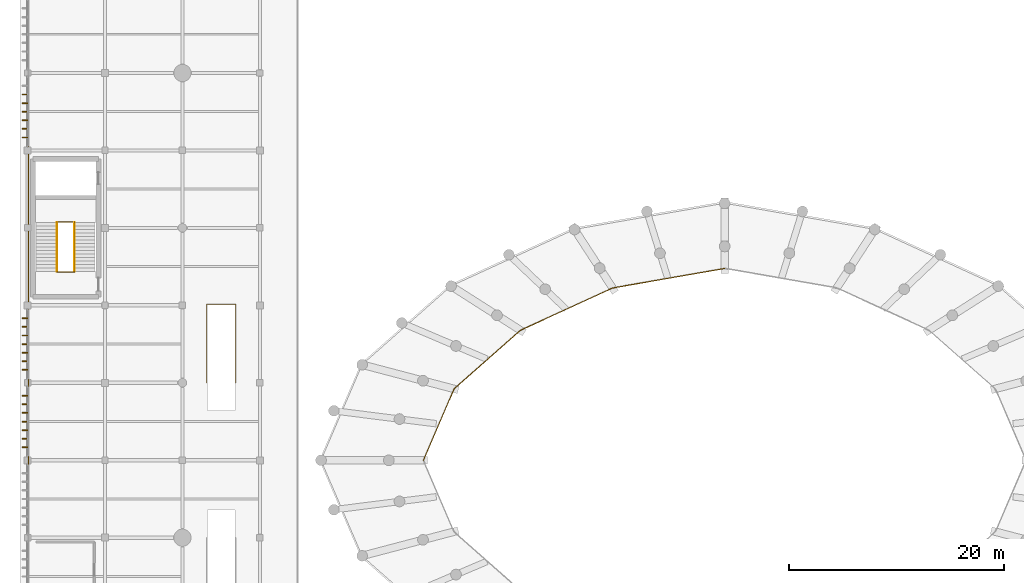
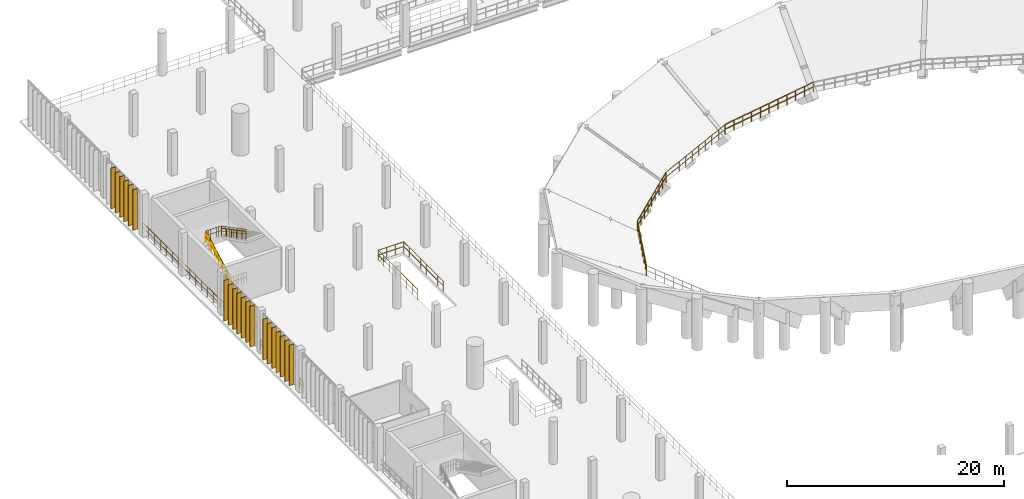
# One storey, part 98 of 105: 20 coverings, 14 railings.
"""IFC4 building model written with IfcOpenShell, lengths in metres."""

from ifc_helpers import new_model, si_unit, direction, frame, origin, origin_2d, place, context, subcontext, project, spatial, rectangle, circle, extrude, material, layer, layer_set, type_object, element, save


model = new_model("IFC4")

# Units and contexts
model_context = context("Model", 3, precision=1e-05, world=origin(), true_north=direction((0.0, 1.0)))
body_context = subcontext(model_context, "Body", "Model", "MODEL_VIEW")
ifc_project = project(units=[si_unit("LENGTHUNIT", "METRE"), si_unit("AREAUNIT", "SQUARE_METRE"), si_unit("VOLUMEUNIT", "CUBIC_METRE"), si_unit("PLANEANGLEUNIT", "RADIAN"), si_unit("MASSUNIT", "GRAM", prefix="KILO")], contexts=[model_context])

# Site, building, storey
site_placement = place(None, origin())
site = spatial("IfcSite", under=ifc_project, at=site_placement, CompositionType="ELEMENT")
building_placement = place(site_placement, origin())
building = spatial("IfcBuilding", under=site, at=building_placement, Name="Qandorah Velis Arena", CompositionType="ELEMENT")
storey_placement = place(building_placement, frame((0.0, 0.0, 13.800048828125)))
storey = spatial("IfcBuildingStorey", under=building, at=storey_placement, Name="L03", CompositionType="ELEMENT", Elevation=13.800048828125)

# Coverings
ifc_material_1 = material(Name="Champagne-bronze anodized aluminium 6063-T6", Category="aluminium")
ifc_layer = layer(ifc_material_1, 0.0849609375)
ifc_layer_set = layer_set([ifc_layer], Name="Champagne-bronze anodized aluminium 6063-T6")
covering_type = type_object("IfcCoveringType", Name="ARC-COV-FIN520", PredefinedType="CLADDING", material=ifc_layer_set)
for number, where, z_axis, x_axis, name in (
    (1, (-0.251953125, 66.0, -0.01025390625), (0.0, 0.0, 1.0), (1.0, 0.0, 0.0), "Vertical champagne-bronze solar fin blade WNG-W-L03-09-001"),
    (2, (-0.251953125, 66.800048828125, -0.01025390625), (0.0, 0.0, 1.0), (1.0, 0.0, 0.0), "Vertical champagne-bronze solar fin blade WNG-W-L03-09-002"),
    (3, (-0.251953125, 67.60009765625, -0.01025390625), (0.0, 0.0, 1.0), (1.0, 0.0, 0.0), "Vertical champagne-bronze solar fin blade WNG-W-L03-09-003"),
    (4, (-0.251953125, 68.39990234375, -0.01025390625), (0.0, 0.0, 1.0), (1.0, 0.0, 0.0), "Vertical champagne-bronze solar fin blade WNG-W-L03-09-004"),
    (5, (-0.251953125, 69.199951171875, -0.01025390625), (0.0, 0.0, 1.0), (1.0, 0.0, 0.0), "Vertical champagne-bronze solar fin blade WNG-W-L03-09-005"),
    (6, (-0.251953125, 70.0, -0.01025390625), (0.0, 0.0, 1.0), (1.0, 0.0, 0.0), "Vertical champagne-bronze solar fin blade WNG-W-L03-09-006"),
    (7, (-0.251953125, 70.800048828125, -0.01025390625), (0.0, 0.0, 1.0), (1.0, 0.0, 0.0), "Vertical champagne-bronze solar fin blade WNG-W-L03-09-007"),
    (8, (-0.251953125, 73.199951171875, -0.01025390625), (0.0, 0.0, 1.0), (1.0, 0.0, 0.0), "Vertical champagne-bronze solar fin blade WNG-W-L03-10-001"),
    (9, (-0.251953125, 74.0, -0.01025390625), (0.0, 0.0, 1.0), (1.0, 0.0, 0.0), "Vertical champagne-bronze solar fin blade WNG-W-L03-10-002"),
    (10, (-0.251953125, 74.800048828125, -0.01025390625), (0.0, 0.0, 1.0), (1.0, 0.0, 0.0), "Vertical champagne-bronze solar fin blade WNG-W-L03-10-003"),
    (11, (-0.251953125, 75.60009765625, -0.01025390625), (0.0, 0.0, 1.0), (1.0, 0.0, 0.0), "Vertical champagne-bronze solar fin blade WNG-W-L03-10-004"),
    (12, (-0.251953125, 76.39990234375, -0.01025390625), (0.0, 0.0, 1.0), (1.0, 0.0, 0.0), "Vertical champagne-bronze solar fin blade WNG-W-L03-10-005"),
    (13, (-0.251953125, 77.199951171875, -0.01025390625), (0.0, 0.0, 1.0), (1.0, 0.0, 0.0), "Vertical champagne-bronze solar fin blade WNG-W-L03-10-006"),
    (14, (-0.251953125, 78.0, -0.01025390625), (0.0, 0.0, 1.0), (1.0, 0.0, 0.0), "Vertical champagne-bronze solar fin blade WNG-W-L03-10-007"),
    (15, (-0.251953125, 94.800048828125, -0.01025390625), (0.0, 0.0, 1.0), (1.0, 0.0, 0.0), "Vertical champagne-bronze solar fin blade WNG-W-L03-13-001"),
    (16, (-0.251953125, 95.60009765625, -0.01025390625), (0.0, 0.0, 1.0), (1.0, 0.0, 0.0), "Vertical champagne-bronze solar fin blade WNG-W-L03-13-002"),
    (17, (-0.251953125, 96.39990234375, -0.01025390625), (0.0, 0.0, 1.0), (1.0, 0.0, 0.0), "Vertical champagne-bronze solar fin blade WNG-W-L03-13-003"),
    (18, (-0.251953125, 97.199951171875, -0.01025390625), (0.0, 0.0, 1.0), (1.0, 0.0, 0.0), "Vertical champagne-bronze solar fin blade WNG-W-L03-13-004"),
    (19, (-0.251953125, 98.0, -0.01025390625), (0.0, 0.0, 1.0), (1.0, 0.0, 0.0), "Vertical champagne-bronze solar fin blade WNG-W-L03-13-005"),
    (20, (-0.251953125, 98.800048828125, -0.01025390625), (0.0, 0.0, 1.0), (1.0, 0.0, 0.0), "Vertical champagne-bronze solar fin blade WNG-W-L03-13-006"),
):
    element("IfcCovering", number, at=place(storey_placement, frame(where, z_axis=z_axis, x_axis=x_axis)), inside=storey, type_object=covering_type, Name=name, PredefinedType="CLADDING", context=body_context, shape_type="SweptSolid", body=[
        extrude(rectangle(XDim=0.52001953125, YDim=0.0849609375, at=origin_2d()), origin(), (0.0, 0.0, 1.0), 4.550048828125),
    ])

# Railings
ifc_material_2 = material(Name="Stainless steel 316", Category="steel")
railing_type_1 = type_object("IfcRailingType", Name="ARC-RL-GRD1150", PredefinedType="GUARDRAIL", material=ifc_material_2)
for number, where, name in (
    (21, (2.739990234375, 82.31005859375, 0.0), "Stair ST6 landing well-slot guardrail L03"),
    (22, (2.739990234375, 86.946044921875, 2.39990234375), "Stair ST6 well guardrail (L03)"),
):
    element("IfcRailing", number, at=place(storey_placement, frame(where)), inside=storey, type_object=railing_type_1, Name=name, PredefinedType="GUARDRAIL", context=body_context, shape_type="SweptSolid", body=[
        extrude(circle(Radius=0.02392578125, at=origin_2d()), frame((0.0, 0.0, 1.1259765625), z_axis=(1.0, 0.0, 0.0), x_axis=(0.0, 1.0, 0.0)), (0.0, 0.0, 1.0), 1.6201171875),
        extrude(circle(Radius=0.02392578125, at=origin_2d()), frame((0.0, 0.0, 0.597900390625), z_axis=(1.0, 0.0, 0.0), x_axis=(0.0, 1.0, 0.0)), (0.0, 0.0, 1.0), 1.6201171875),
        extrude(circle(Radius=0.02099609375, at=origin_2d()), origin(), (0.0, 0.0, 1.0), 1.101806640625),
        extrude(circle(Radius=0.02099609375, at=origin_2d()), frame((0.27001953125, 0.0, 0.0)), (0.0, 0.0, 1.0), 1.101806640625),
        extrude(circle(Radius=0.02099609375, at=origin_2d()), frame((0.5400390625, 0.0, 0.0)), (0.0, 0.0, 1.0), 1.101806640625),
        extrude(circle(Radius=0.02099609375, at=origin_2d()), frame((0.81005859375, 0.0, 0.0)), (0.0, 0.0, 1.0), 1.101806640625),
        extrude(circle(Radius=0.02099609375, at=origin_2d()), frame((1.080078125, 0.0, 0.0)), (0.0, 0.0, 1.0), 1.101806640625),
        extrude(circle(Radius=0.02099609375, at=origin_2d()), frame((1.35009765625, 0.0, 0.0)), (0.0, 0.0, 1.0), 1.101806640625),
        extrude(circle(Radius=0.02099609375, at=origin_2d()), frame((1.6201171875, 0.0, 0.0)), (0.0, 0.0, 1.0), 1.101806640625),
    ])
railing_1_placement = place(storey_placement, frame((2.72998046875, 82.35009765625, 0.0)))
element("IfcRailing", 23, at=railing_1_placement, inside=storey, type_object=railing_type_1, Name="Stair ST6 inner flight 1 guardrail (L03)", PredefinedType="GUARDRAIL", context=body_context, shape_type="SweptSolid", body=[
    extrude(circle(Radius=0.02392578125, at=origin_2d()), frame((0.0, 0.0, 1.1259765625), z_axis=(0.0, 0.883904770144, 0.467666929895), x_axis=(-1.0, 0.0, 0.0)), (0.0, 0.0, 1.0), 5.131591796875),
    extrude(circle(Radius=0.02392578125, at=origin_2d()), frame((0.0, 0.0, 0.597900390625), z_axis=(0.0, 0.883904770144, 0.467666929895), x_axis=(-1.0, 0.0, 0.0)), (0.0, 0.0, 1.0), 5.131591796875),
    extrude(circle(Radius=0.02099609375, at=origin_2d()), origin(), (0.0, 0.0, 1.0), 1.101806640625),
    extrude(circle(Radius=0.02099609375, at=origin_2d()), frame((0.0, 0.755859375, 0.39990234375)), (0.0, 0.0, 1.0), 1.101806640625),
    extrude(circle(Radius=0.02099609375, at=origin_2d()), frame((0.0, 1.511962890625, 0.800048828125)), (0.0, 0.0, 1.0), 1.101806640625),
    extrude(circle(Radius=0.02099609375, at=origin_2d()), frame((0.0, 2.26806640625, 1.199951171875)), (0.0, 0.0, 1.0), 1.101806640625),
    extrude(circle(Radius=0.02099609375, at=origin_2d()), frame((0.0, 3.02392578125, 1.599853515625)), (0.0, 0.0, 1.0), 1.101806640625),
    extrude(circle(Radius=0.02099609375, at=origin_2d()), frame((0.0, 3.77978515625, 2.0)), (0.0, 0.0, 1.0), 1.101806640625),
    extrude(circle(Radius=0.02099609375, at=origin_2d()), frame((0.0, 4.535888671875, 2.39990234375)), (0.0, 0.0, 1.0), 1.101806640625),
])
railing_2_placement = place(storey_placement, frame((4.3701171875, 86.885986328125, 2.39990234375)))
element("IfcRailing", 24, at=railing_2_placement, inside=storey, type_object=railing_type_1, Name="Stair ST6 inner flight 2 guardrail (L03)", PredefinedType="GUARDRAIL", context=body_context, shape_type="SweptSolid", body=[
    extrude(circle(Radius=0.02392578125, at=origin_2d()), frame((0.0, 0.0, 1.1259765625), z_axis=(0.0, -0.883885103381, 0.467704098786), x_axis=(1.0, 0.0, 0.0)), (0.0, 0.0, 1.0), 5.1318359375),
    extrude(circle(Radius=0.02392578125, at=origin_2d()), frame((0.0, 0.0, 0.597900390625), z_axis=(0.0, -0.883885103381, 0.467704098786), x_axis=(1.0, 0.0, 0.0)), (0.0, 0.0, 1.0), 5.1318359375),
    extrude(circle(Radius=0.02099609375, at=origin_2d()), origin(), (0.0, 0.0, 1.0), 1.101806640625),
    extrude(circle(Radius=0.02099609375, at=origin_2d()), frame((0.0, -0.755859375, 0.39990234375)), (0.0, 0.0, 1.0), 1.101806640625),
    extrude(circle(Radius=0.02099609375, at=origin_2d()), frame((0.0, -1.511962890625, 0.800048828125)), (0.0, 0.0, 1.0), 1.101806640625),
    extrude(circle(Radius=0.02099609375, at=origin_2d()), frame((0.0, -2.26806640625, 1.2001953125)), (0.0, 0.0, 1.0), 1.101806640625),
    extrude(circle(Radius=0.02099609375, at=origin_2d()), frame((0.0, -3.02392578125, 1.60009765625)), (0.0, 0.0, 1.0), 1.101806640625),
    extrude(circle(Radius=0.02099609375, at=origin_2d()), frame((0.0, -3.77978515625, 2.0)), (0.0, 0.0, 1.0), 1.101806640625),
    extrude(circle(Radius=0.02099609375, at=origin_2d()), frame((0.0, -4.535888671875, 2.400146484375)), (0.0, 0.0, 1.0), 1.101806640625),
])
railing_3_placement = place(storey_placement, frame((16.64990234375, 72.0, 0.0)))
element("IfcRailing", 25, at=railing_3_placement, inside=storey, type_object=railing_type_1, Name="Vomitory VS16 top well guardrail (L03)", PredefinedType="GUARDRAIL", context=body_context, shape_type="SweptSolid", body=[
    extrude(circle(Radius=0.02392578125, at=origin_2d()), frame((0.0, 0.0, 1.1259765625), z_axis=(0.0, 1.0, 0.0), x_axis=(-1.0, 0.0, 0.0)), (0.0, 0.0, 1.0), 7.300048828125),
    extrude(circle(Radius=0.02392578125, at=origin_2d()), frame((0.0, 0.0, 0.597900390625), z_axis=(0.0, 1.0, 0.0), x_axis=(-1.0, 0.0, 0.0)), (0.0, 0.0, 1.0), 7.300048828125),
    extrude(circle(Radius=0.02392578125, at=origin_2d()), frame((0.0, 7.300048828125, 1.1259765625), z_axis=(1.0, 0.0, 0.0), x_axis=(0.0, 1.0, 0.0)), (0.0, 0.0, 1.0), 2.7001953125),
    extrude(circle(Radius=0.02392578125, at=origin_2d()), frame((0.0, 7.300048828125, 0.597900390625), z_axis=(1.0, 0.0, 0.0), x_axis=(0.0, 1.0, 0.0)), (0.0, 0.0, 1.0), 2.7001953125),
    extrude(circle(Radius=0.02392578125, at=origin_2d()), frame((2.7001953125, 7.300048828125, 1.1259765625), z_axis=(0.0, -1.0, 0.0), x_axis=(1.0, 0.0, 0.0)), (0.0, 0.0, 1.0), 7.300048828125),
    extrude(circle(Radius=0.02392578125, at=origin_2d()), frame((2.7001953125, 7.300048828125, 0.597900390625), z_axis=(0.0, -1.0, 0.0), x_axis=(1.0, 0.0, 0.0)), (0.0, 0.0, 1.0), 7.300048828125),
    extrude(circle(Radius=0.02099609375, at=origin_2d()), origin(), (0.0, 0.0, 1.0), 1.101806640625),
    extrude(circle(Radius=0.02099609375, at=origin_2d()), frame((0.0, 1.04296875, 0.0)), (0.0, 0.0, 1.0), 1.101806640625),
    extrude(circle(Radius=0.02099609375, at=origin_2d()), frame((0.0, 2.085693359375, 0.0)), (0.0, 0.0, 1.0), 1.101806640625),
    extrude(circle(Radius=0.02099609375, at=origin_2d()), frame((0.0, 3.128662109375, 0.0)), (0.0, 0.0, 1.0), 1.101806640625),
    extrude(circle(Radius=0.02099609375, at=origin_2d()), frame((0.0, 4.17138671875, 0.0)), (0.0, 0.0, 1.0), 1.101806640625),
    extrude(circle(Radius=0.02099609375, at=origin_2d()), frame((0.0, 5.21435546875, 0.0)), (0.0, 0.0, 1.0), 1.101806640625),
    extrude(circle(Radius=0.02099609375, at=origin_2d()), frame((0.0, 6.257080078125, 0.0)), (0.0, 0.0, 1.0), 1.101806640625),
    extrude(circle(Radius=0.02099609375, at=origin_2d()), frame((0.0, 7.300048828125, 0.0)), (0.0, 0.0, 1.0), 1.101806640625),
    extrude(circle(Radius=0.02099609375, at=origin_2d()), frame((0.900146484375, 7.300048828125, 0.0)), (0.0, 0.0, 1.0), 1.101806640625),
    extrude(circle(Radius=0.02099609375, at=origin_2d()), frame((1.800048828125, 7.300048828125, 0.0)), (0.0, 0.0, 1.0), 1.101806640625),
    extrude(circle(Radius=0.02099609375, at=origin_2d()), frame((2.7001953125, 7.300048828125, 0.0)), (0.0, 0.0, 1.0), 1.101806640625),
    extrude(circle(Radius=0.02099609375, at=origin_2d()), frame((2.7001953125, 6.257080078125, 0.0)), (0.0, 0.0, 1.0), 1.101806640625),
    extrude(circle(Radius=0.02099609375, at=origin_2d()), frame((2.7001953125, 5.21435546875, 0.0)), (0.0, 0.0, 1.0), 1.101806640625),
    extrude(circle(Radius=0.02099609375, at=origin_2d()), frame((2.7001953125, 4.17138671875, 0.0)), (0.0, 0.0, 1.0), 1.101806640625),
    extrude(circle(Radius=0.02099609375, at=origin_2d()), frame((2.7001953125, 3.128662109375, 0.0)), (0.0, 0.0, 1.0), 1.101806640625),
    extrude(circle(Radius=0.02099609375, at=origin_2d()), frame((2.7001953125, 2.085693359375, 0.0)), (0.0, 0.0, 1.0), 1.101806640625),
    extrude(circle(Radius=0.02099609375, at=origin_2d()), frame((2.7001953125, 1.04296875, 0.0)), (0.0, 0.0, 1.0), 1.101806640625),
    extrude(circle(Radius=0.02099609375, at=origin_2d()), frame((2.7001953125, 0.0, 0.0)), (0.0, 0.0, 1.0), 1.101806640625),
])
railing_4_placement = place(storey_placement, frame((64.800048828125, 82.629150390625, 0.0)))
element("IfcRailing", 26, at=railing_4_placement, inside=storey, type_object=railing_type_1, Name="Upper seating tier front sightline guardrail 05", PredefinedType="GUARDRAIL", context=body_context, shape_type="SweptSolid", body=[
    extrude(circle(Radius=0.02392578125, at=origin_2d()), frame((0.0, 0.0, 1.1259765625), z_axis=(-0.985138967518, -0.171759176398, 0.0), x_axis=(0.171759176398, -0.985138967518, 0.0)), (0.0, 0.0, 1.0), 10.573974609375),
    extrude(circle(Radius=0.02392578125, at=origin_2d()), frame((0.0, 0.0, 0.597900390625), z_axis=(-0.985138967518, -0.171759176398, 0.0), x_axis=(0.171759176398, -0.985138967518, 0.0)), (0.0, 0.0, 1.0), 10.573974609375),
    extrude(circle(Radius=0.02099609375, at=origin_2d()), origin(), (0.0, 0.0, 1.0), 1.101806640625),
    extrude(circle(Radius=0.02099609375, at=origin_2d()), frame((-1.041748046875, -0.181640625, 0.0)), (0.0, 0.0, 1.0), 1.101806640625),
    extrude(circle(Radius=0.02099609375, at=origin_2d()), frame((-2.083251953125, -0.36328125, 0.0)), (0.0, 0.0, 1.0), 1.101806640625),
    extrude(circle(Radius=0.02099609375, at=origin_2d()), frame((-3.125, -0.544921875, 0.0)), (0.0, 0.0, 1.0), 1.101806640625),
    extrude(circle(Radius=0.02099609375, at=origin_2d()), frame((-4.166748046875, -0.7265625, 0.0)), (0.0, 0.0, 1.0), 1.101806640625),
    extrude(circle(Radius=0.02099609375, at=origin_2d()), frame((-5.20849609375, -0.908203125, 0.0)), (0.0, 0.0, 1.0), 1.101806640625),
    extrude(circle(Radius=0.02099609375, at=origin_2d()), frame((-6.25, -1.089599609375, 0.0)), (0.0, 0.0, 1.0), 1.101806640625),
    extrude(circle(Radius=0.02099609375, at=origin_2d()), frame((-7.291748046875, -1.271240234375, 0.0)), (0.0, 0.0, 1.0), 1.101806640625),
    extrude(circle(Radius=0.02099609375, at=origin_2d()), frame((-8.33349609375, -1.452880859375, 0.0)), (0.0, 0.0, 1.0), 1.101806640625),
    extrude(circle(Radius=0.02099609375, at=origin_2d()), frame((-9.375, -1.634521484375, 0.0)), (0.0, 0.0, 1.0), 1.101806640625),
    extrude(circle(Radius=0.02099609375, at=origin_2d()), frame((-10.416748046875, -1.816162109375, 0.0)), (0.0, 0.0, 1.0), 1.101806640625),
])
railing_5_placement = place(storey_placement, frame((54.38330078125, 80.81298828125, 0.0)))
element("IfcRailing", 27, at=railing_5_placement, inside=storey, type_object=railing_type_1, Name="Upper seating tier front sightline guardrail 06", PredefinedType="GUARDRAIL", context=body_context, shape_type="SweptSolid", body=[
    extrude(circle(Radius=0.02392578125, at=origin_2d()), frame((0.0, 0.0, 1.1259765625), z_axis=(-0.908843399274, -0.417137478053, 0.0), x_axis=(0.417137478053, -0.908843399274, 0.0)), (0.0, 0.0, 1.0), 9.41943359375),
    extrude(circle(Radius=0.02392578125, at=origin_2d()), frame((0.0, 0.0, 0.597900390625), z_axis=(-0.908843399274, -0.417137478053, 0.0), x_axis=(0.417137478053, -0.908843399274, 0.0)), (0.0, 0.0, 1.0), 9.41943359375),
    extrude(circle(Radius=0.02099609375, at=origin_2d()), origin(), (0.0, 0.0, 1.0), 1.101806640625),
    extrude(circle(Radius=0.02099609375, at=origin_2d()), frame((-0.951171875, -0.4365234375, 0.0)), (0.0, 0.0, 1.0), 1.101806640625),
    extrude(circle(Radius=0.02099609375, at=origin_2d()), frame((-1.90234375, -0.873046875, 0.0)), (0.0, 0.0, 1.0), 1.101806640625),
    extrude(circle(Radius=0.02099609375, at=origin_2d()), frame((-2.853515625, -1.309814453125, 0.0)), (0.0, 0.0, 1.0), 1.101806640625),
    extrude(circle(Radius=0.02099609375, at=origin_2d()), frame((-3.8046875, -1.746337890625, 0.0)), (0.0, 0.0, 1.0), 1.101806640625),
    extrude(circle(Radius=0.02099609375, at=origin_2d()), frame((-4.756103515625, -2.182861328125, 0.0)), (0.0, 0.0, 1.0), 1.101806640625),
    extrude(circle(Radius=0.02099609375, at=origin_2d()), frame((-5.707275390625, -2.619384765625, 0.0)), (0.0, 0.0, 1.0), 1.101806640625),
    extrude(circle(Radius=0.02099609375, at=origin_2d()), frame((-6.658447265625, -3.05615234375, 0.0)), (0.0, 0.0, 1.0), 1.101806640625),
    extrude(circle(Radius=0.02099609375, at=origin_2d()), frame((-7.609619140625, -3.49267578125, 0.0)), (0.0, 0.0, 1.0), 1.101806640625),
    extrude(circle(Radius=0.02099609375, at=origin_2d()), frame((-8.560791015625, -3.92919921875, 0.0)), (0.0, 0.0, 1.0), 1.101806640625),
])
railing_6_placement = place(storey_placement, frame((45.822509765625, 76.8837890625, 0.0)))
element("IfcRailing", 28, at=railing_6_placement, inside=storey, type_object=railing_type_1, Name="Upper seating tier front sightline guardrail 07", PredefinedType="GUARDRAIL", context=body_context, shape_type="SweptSolid", body=[
    extrude(circle(Radius=0.02392578125, at=origin_2d()), frame((0.0, 0.0, 1.1259765625), z_axis=(-0.749449179843, -0.66206187538, 0.0), x_axis=(0.66206187538, -0.749449179843, 0.0)), (0.0, 0.0, 1.0), 8.233154296875),
    extrude(circle(Radius=0.02392578125, at=origin_2d()), frame((0.0, 0.0, 0.597900390625), z_axis=(-0.749449179843, -0.66206187538, 0.0), x_axis=(0.66206187538, -0.749449179843, 0.0)), (0.0, 0.0, 1.0), 8.233154296875),
    extrude(circle(Radius=0.02099609375, at=origin_2d()), origin(), (0.0, 0.0, 1.0), 1.101806640625),
    extrude(circle(Radius=0.02099609375, at=origin_2d()), frame((-0.771240234375, -0.681396484375, 0.0)), (0.0, 0.0, 1.0), 1.101806640625),
    extrude(circle(Radius=0.02099609375, at=origin_2d()), frame((-1.54248046875, -1.36279296875, 0.0)), (0.0, 0.0, 1.0), 1.101806640625),
    extrude(circle(Radius=0.02099609375, at=origin_2d()), frame((-2.31396484375, -2.044189453125, 0.0)), (0.0, 0.0, 1.0), 1.101806640625),
    extrude(circle(Radius=0.02099609375, at=origin_2d()), frame((-3.085205078125, -2.7255859375, 0.0)), (0.0, 0.0, 1.0), 1.101806640625),
    extrude(circle(Radius=0.02099609375, at=origin_2d()), frame((-3.8564453125, -3.40673828125, 0.0)), (0.0, 0.0, 1.0), 1.101806640625),
    extrude(circle(Radius=0.02099609375, at=origin_2d()), frame((-4.6279296875, -4.088134765625, 0.0)), (0.0, 0.0, 1.0), 1.101806640625),
    extrude(circle(Radius=0.02099609375, at=origin_2d()), frame((-5.399169921875, -4.76953125, 0.0)), (0.0, 0.0, 1.0), 1.101806640625),
    extrude(circle(Radius=0.02099609375, at=origin_2d()), frame((-6.17041015625, -5.450927734375, 0.0)), (0.0, 0.0, 1.0), 1.101806640625),
])
railing_7_placement = place(storey_placement, frame((39.652099609375, 71.432861328125, 0.0)))
element("IfcRailing", 29, at=railing_7_placement, inside=storey, type_object=railing_type_1, Name="Upper seating tier front sightline guardrail 08", PredefinedType="GUARDRAIL", context=body_context, shape_type="SweptSolid", body=[
    extrude(circle(Radius=0.02392578125, at=origin_2d()), frame((0.0, 0.0, 1.1259765625), z_axis=(-0.395020901566, -0.91867213266, 0.0), x_axis=(0.91867213266, -0.395020901566, 0.0)), (0.0, 0.0, 1.0), 7.219970703125),
    extrude(circle(Radius=0.02392578125, at=origin_2d()), frame((0.0, 0.0, 0.597900390625), z_axis=(-0.395020901566, -0.91867213266, 0.0), x_axis=(0.91867213266, -0.395020901566, 0.0)), (0.0, 0.0, 1.0), 7.219970703125),
    extrude(circle(Radius=0.02099609375, at=origin_2d()), origin(), (0.0, 0.0, 1.0), 1.101806640625),
    extrude(circle(Radius=0.02099609375, at=origin_2d()), frame((-0.407470703125, -0.947509765625, 0.0)), (0.0, 0.0, 1.0), 1.101806640625),
    extrude(circle(Radius=0.02099609375, at=origin_2d()), frame((-0.81494140625, -1.89501953125, 0.0)), (0.0, 0.0, 1.0), 1.101806640625),
    extrude(circle(Radius=0.02099609375, at=origin_2d()), frame((-1.222412109375, -2.842529296875, 0.0)), (0.0, 0.0, 1.0), 1.101806640625),
    extrude(circle(Radius=0.02099609375, at=origin_2d()), frame((-1.629638671875, -3.790283203125, 0.0)), (0.0, 0.0, 1.0), 1.101806640625),
    extrude(circle(Radius=0.02099609375, at=origin_2d()), frame((-2.037109375, -4.73779296875, 0.0)), (0.0, 0.0, 1.0), 1.101806640625),
    extrude(circle(Radius=0.02099609375, at=origin_2d()), frame((-2.444580078125, -5.685302734375, 0.0)), (0.0, 0.0, 1.0), 1.101806640625),
    extrude(circle(Radius=0.02099609375, at=origin_2d()), frame((-2.85205078125, -6.6328125, 0.0)), (0.0, 0.0, 1.0), 1.101806640625),
])
railing_8_placement = place(storey_placement, frame((0.10009765625, 64.449951171875, 0.0)))
element("IfcRailing", 30, at=railing_8_placement, inside=storey, type_object=railing_type_1, Name="Slab edge safety guardrail L03-176", PredefinedType="GUARDRAIL", context=body_context, shape_type="SweptSolid", body=[
    extrude(circle(Radius=0.02392578125, at=origin_2d()), frame((0.0, 0.0, 1.1259765625), z_axis=(0.0, 1.0, 0.0), x_axis=(-1.0, 0.0, 0.0)), (0.0, 0.0, 1.0), 0.699951171875),
    extrude(circle(Radius=0.02392578125, at=origin_2d()), frame((0.0, 0.0, 0.597900390625), z_axis=(0.0, 1.0, 0.0), x_axis=(-1.0, 0.0, 0.0)), (0.0, 0.0, 1.0), 0.699951171875),
    extrude(circle(Radius=0.02099609375, at=origin_2d()), origin(), (0.0, 0.0, 1.0), 1.101806640625),
    extrude(circle(Radius=0.02099609375, at=origin_2d()), frame((0.0, 0.699951171875, 0.0)), (0.0, 0.0, 1.0), 1.101806640625),
])
railing_9_placement = place(storey_placement, frame((0.10009765625, 71.675048828125, 0.0)))
element("IfcRailing", 31, at=railing_9_placement, inside=storey, type_object=railing_type_1, Name="Slab edge safety guardrail L03-177", PredefinedType="GUARDRAIL", context=body_context, shape_type="SweptSolid", body=[
    extrude(circle(Radius=0.02392578125, at=origin_2d()), frame((0.0, 0.0, 1.1259765625), z_axis=(0.0, 1.0, 0.0), x_axis=(-1.0, 0.0, 0.0)), (0.0, 0.0, 1.0), 0.64990234375),
    extrude(circle(Radius=0.02392578125, at=origin_2d()), frame((0.0, 0.0, 0.597900390625), z_axis=(0.0, 1.0, 0.0), x_axis=(-1.0, 0.0, 0.0)), (0.0, 0.0, 1.0), 0.64990234375),
    extrude(circle(Radius=0.02099609375, at=origin_2d()), origin(), (0.0, 0.0, 1.0), 1.101806640625),
    extrude(circle(Radius=0.02099609375, at=origin_2d()), frame((0.0, 0.64990234375, 0.0)), (0.0, 0.0, 1.0), 1.101806640625),
])
railing_10_placement = place(storey_placement, frame((0.10009765625, 78.85009765625, 0.0)))
element("IfcRailing", 32, at=railing_10_placement, inside=storey, type_object=railing_type_1, Name="Slab edge safety guardrail L03-178", PredefinedType="GUARDRAIL", context=body_context, shape_type="SweptSolid", body=[
    extrude(circle(Radius=0.02392578125, at=origin_2d()), frame((0.0, 0.0, 1.1259765625), z_axis=(0.0, 1.0, 0.0), x_axis=(-1.0, 0.0, 0.0)), (0.0, 0.0, 1.0), 15.099853515625),
    extrude(circle(Radius=0.02392578125, at=origin_2d()), frame((0.0, 0.0, 0.597900390625), z_axis=(0.0, 1.0, 0.0), x_axis=(-1.0, 0.0, 0.0)), (0.0, 0.0, 1.0), 15.099853515625),
    extrude(circle(Radius=0.02099609375, at=origin_2d()), origin(), (0.0, 0.0, 1.0), 1.101806640625),
    extrude(circle(Radius=0.02099609375, at=origin_2d()), frame((0.0, 1.07861328125, 0.0)), (0.0, 0.0, 1.0), 1.101806640625),
    extrude(circle(Radius=0.02099609375, at=origin_2d()), frame((0.0, 2.1572265625, 0.0)), (0.0, 0.0, 1.0), 1.101806640625),
    extrude(circle(Radius=0.02099609375, at=origin_2d()), frame((0.0, 3.235595703125, 0.0)), (0.0, 0.0, 1.0), 1.101806640625),
    extrude(circle(Radius=0.02099609375, at=origin_2d()), frame((0.0, 4.314208984375, 0.0)), (0.0, 0.0, 1.0), 1.101806640625),
    extrude(circle(Radius=0.02099609375, at=origin_2d()), frame((0.0, 5.392822265625, 0.0)), (0.0, 0.0, 1.0), 1.101806640625),
    extrude(circle(Radius=0.02099609375, at=origin_2d()), frame((0.0, 6.471435546875, 0.0)), (0.0, 0.0, 1.0), 1.101806640625),
    extrude(circle(Radius=0.02099609375, at=origin_2d()), frame((0.0, 7.5498046875, 0.0)), (0.0, 0.0, 1.0), 1.101806640625),
    extrude(circle(Radius=0.02099609375, at=origin_2d()), frame((0.0, 8.62841796875, 0.0)), (0.0, 0.0, 1.0), 1.101806640625),
    extrude(circle(Radius=0.02099609375, at=origin_2d()), frame((0.0, 9.70703125, 0.0)), (0.0, 0.0, 1.0), 1.101806640625),
    extrude(circle(Radius=0.02099609375, at=origin_2d()), frame((0.0, 10.78564453125, 0.0)), (0.0, 0.0, 1.0), 1.101806640625),
    extrude(circle(Radius=0.02099609375, at=origin_2d()), frame((0.0, 11.8642578125, 0.0)), (0.0, 0.0, 1.0), 1.101806640625),
    extrude(circle(Radius=0.02099609375, at=origin_2d()), frame((0.0, 12.942626953125, 0.0)), (0.0, 0.0, 1.0), 1.101806640625),
    extrude(circle(Radius=0.02099609375, at=origin_2d()), frame((0.0, 14.021240234375, 0.0)), (0.0, 0.0, 1.0), 1.101806640625),
    extrude(circle(Radius=0.02099609375, at=origin_2d()), frame((0.0, 15.099853515625, 0.0)), (0.0, 0.0, 1.0), 1.101806640625),
])
railing_type_2 = type_object("IfcRailingType", Name="ARC-RL-HND920", PredefinedType="HANDRAIL", material=ifc_material_2)
railing_11_placement = place(storey_placement, frame((2.72998046875, 82.35009765625, 0.0)))
element("IfcRailing", 33, at=railing_11_placement, inside=storey, type_object=railing_type_2, Name="Stair ST6 inner handrail 1 (L03)", PredefinedType="HANDRAIL", context=body_context, shape_type="SweptSolid", body=[
    extrude(circle(Radius=0.02392578125, at=origin_2d()), frame((0.0, 0.0, 0.89599609375), z_axis=(0.0, 0.883904770144, 0.467666929895), x_axis=(-1.0, 0.0, 0.0)), (0.0, 0.0, 1.0), 5.131591796875),
    extrude(circle(Radius=0.02099609375, at=origin_2d()), origin(), (0.0, 0.0, 1.0), 0.871826171875),
    extrude(circle(Radius=0.02099609375, at=origin_2d()), frame((0.0, 0.9072265625, 0.47998046875)), (0.0, 0.0, 1.0), 0.871826171875),
    extrude(circle(Radius=0.02099609375, at=origin_2d()), frame((0.0, 1.814453125, 0.9599609375)), (0.0, 0.0, 1.0), 0.871826171875),
    extrude(circle(Radius=0.02099609375, at=origin_2d()), frame((0.0, 2.721435546875, 1.43994140625)), (0.0, 0.0, 1.0), 0.871826171875),
    extrude(circle(Radius=0.02099609375, at=origin_2d()), frame((0.0, 3.628662109375, 1.919921875)), (0.0, 0.0, 1.0), 0.871826171875),
    extrude(circle(Radius=0.02099609375, at=origin_2d()), frame((0.0, 4.535888671875, 2.39990234375)), (0.0, 0.0, 1.0), 0.871826171875),
])
railing_12_placement = place(storey_placement, frame((4.3701171875, 86.885986328125, 2.39990234375)))
element("IfcRailing", 34, at=railing_12_placement, inside=storey, type_object=railing_type_2, Name="Stair ST6 inner handrail 2 (L03)", PredefinedType="HANDRAIL", context=body_context, shape_type="SweptSolid", body=[
    extrude(circle(Radius=0.02392578125, at=origin_2d()), frame((0.0, 0.0, 0.89599609375), z_axis=(0.0, -0.883885103381, 0.467704098786), x_axis=(1.0, 0.0, 0.0)), (0.0, 0.0, 1.0), 5.1318359375),
    extrude(circle(Radius=0.02099609375, at=origin_2d()), origin(), (0.0, 0.0, 1.0), 0.871826171875),
    extrude(circle(Radius=0.02099609375, at=origin_2d()), frame((0.0, -0.9072265625, 0.47998046875)), (0.0, 0.0, 1.0), 0.871826171875),
    extrude(circle(Radius=0.02099609375, at=origin_2d()), frame((0.0, -1.814453125, 0.9599609375)), (0.0, 0.0, 1.0), 0.871826171875),
    extrude(circle(Radius=0.02099609375, at=origin_2d()), frame((0.0, -2.721435546875, 1.440185546875)), (0.0, 0.0, 1.0), 0.871826171875),
    extrude(circle(Radius=0.02099609375, at=origin_2d()), frame((0.0, -3.628662109375, 1.920166015625)), (0.0, 0.0, 1.0), 0.871826171875),
    extrude(circle(Radius=0.02099609375, at=origin_2d()), frame((0.0, -4.535888671875, 2.400146484375)), (0.0, 0.0, 1.0), 0.871826171875),
])

save(model, "model.ifc")
